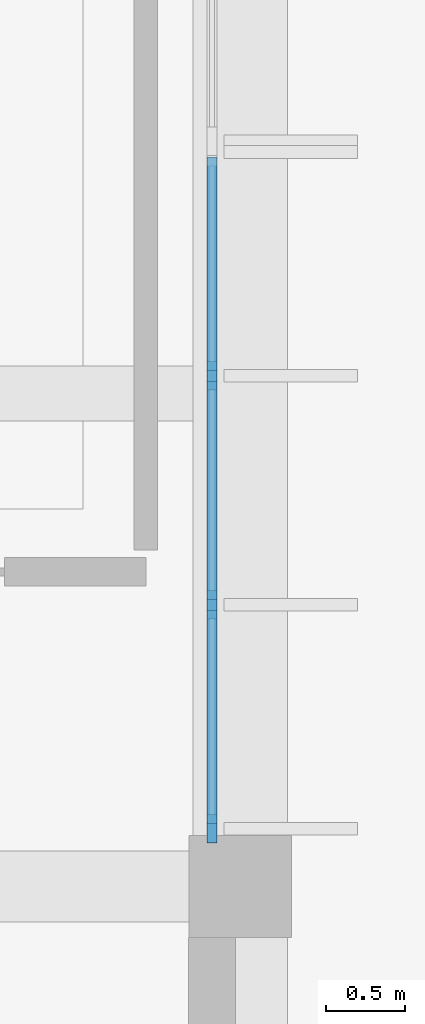
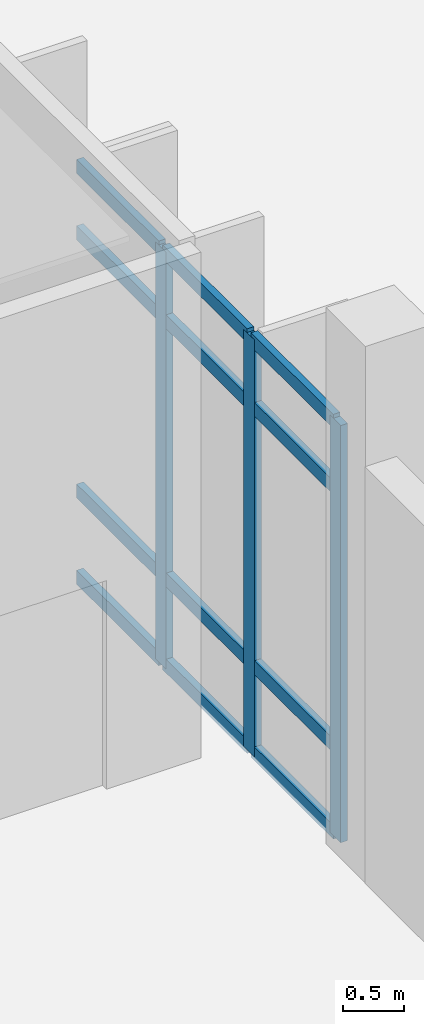
# One storey, part 29 of 79: 15 members, 1 element without a shape of its own.
"""IFC4 building model written with IfcOpenShell, lengths in metres."""

from ifc_helpers import new_model, si_unit, direction, frame, origin, origin_2d, place, context, subcontext, project, spatial, rectangle, extrude, material, layer, layer_set, material_profile, profile_set, type_object, element, aggregate, save


model = new_model("IFC4")

# Units and contexts
model_context = context("Model", 3, precision=1e-05, world=origin(), true_north=direction((0.0, 1.0)))
body_context = subcontext(model_context, "Body", "Model", "MODEL_VIEW")
ifc_project = project(units=[si_unit("LENGTHUNIT", "METRE"), si_unit("AREAUNIT", "SQUARE_METRE"), si_unit("VOLUMEUNIT", "CUBIC_METRE"), si_unit("PLANEANGLEUNIT", "RADIAN"), si_unit("MASSUNIT", "GRAM", prefix="KILO")], contexts=[model_context])

# Site, building, storey
site_placement = place(None, origin())
site = spatial("IfcSite", under=ifc_project, at=site_placement, CompositionType="ELEMENT")
building_placement = place(site_placement, origin())
building = spatial("IfcBuilding", under=site, at=building_placement, Name="Kelarvand Opera House", CompositionType="ELEMENT")
storey_placement = place(building_placement, origin())
storey = spatial("IfcBuildingStorey", under=building, at=storey_placement, Name="L00", CompositionType="ELEMENT", Elevation=0.0)

# Curtain wall, members
ifc_material_1 = material(Name="Thermally broken aluminium and low-E glazing", Category="aluminium")
ifc_layer = layer(ifc_material_1, 0.179931640625, Name="Thermally broken aluminium and low-E glazing", Category="aluminium")
ifc_layer_set = layer_set([ifc_layer], Name="Thermally broken aluminium and low-E glazing")
curtain_wall_type = type_object("IfcCurtainWallType", Name="Unitised Low-E Curtain Wall 4361x4200 Mod 1450 CWF-38", PredefinedType="USERDEFINED", material=ifc_layer_set)
curtain_wall_placement = place(storey_placement, origin())
curtain_wall = element("IfcCurtainWall", 1, at=curtain_wall_placement, inside=storey, type_object=curtain_wall_type, Name="V5 L00 Curtain Wall CWF-38 (166)", ObjectType="UNITISED CURTAIN WALL", PredefinedType="USERDEFINED")
ifc_material_2 = material(Name="Thermally broken anodised aluminium", Category="aluminium")
ifc_material_profile_1 = material_profile(ifc_material_2, rectangle(XDim=0.06494140625, YDim=0.179931640625, at=origin_2d()), Name="ALU MULLION 65x180", Category="aluminium")
ifc_profile_set_1 = profile_set([ifc_material_profile_1], Name="Thermally broken anodised aluminium")
member_type_1 = type_object("IfcMemberType", Name="Curtain Wall Mullion 65x180 Aluminium", PredefinedType="MULLION", material=ifc_profile_set_1)
member_1_placement = place(storey_placement, frame((135.02001953125, 99.844970703125, 0.0), z_axis=(0.0, 0.0, 1.0), x_axis=(1.0, 0.0, 0.0)))
member_1 = element("IfcMember", 2, at=member_1_placement, type_object=member_type_1, Name="CWF-38 mullion 2", PredefinedType="MULLION", context=body_context, shape_type="SweptSolid", body=[
    extrude(rectangle(XDim=0.06494140625, YDim=0.179931640625, at=origin_2d()), origin(), (0.0, 0.0, 1.0), 4.199951171875),
])
member_2_placement = place(storey_placement, frame((135.02001953125, 98.389892578125, 0.0), z_axis=(0.0, 0.0, 1.0), x_axis=(1.0, 0.0, 0.0)))
member_2 = element("IfcMember", 3, at=member_2_placement, type_object=member_type_1, Name="CWF-38 mullion 3", PredefinedType="MULLION", context=body_context, shape_type="SweptSolid", body=[
    extrude(rectangle(XDim=0.06494140625, YDim=0.179931640625, at=origin_2d()), origin(), (0.0, 0.0, 1.0), 4.199951171875),
])
member_3_placement = place(storey_placement, frame((135.02001953125, 96.967529296875, 0.0), z_axis=(0.0, 0.0, 1.0), x_axis=(1.0, 0.0, 0.0)))
member_3 = element("IfcMember", 4, at=member_3_placement, type_object=member_type_1, Name="CWF-38 mullion 4", PredefinedType="MULLION", context=body_context, shape_type="SweptSolid", body=[
    extrude(rectangle(XDim=0.06494140625, YDim=0.179931640625, at=origin_2d()), origin(), (0.0, 0.0, 1.0), 4.199951171875),
])
ifc_material_profile_2 = material_profile(ifc_material_2, rectangle(XDim=0.06494140625, YDim=0.139892578125, at=origin_2d()), Name="ALU TRANSOM 65x140", Category="aluminium")
ifc_profile_set_2 = profile_set([ifc_material_profile_2], Name="Thermally broken anodised aluminium")
member_type_2 = type_object("IfcMemberType", Name="Curtain Wall Transom 65x140 Aluminium", PredefinedType="USERDEFINED", material=ifc_profile_set_2)
member_4_placement = place(storey_placement, frame((135.02001953125, 101.235107421875, 0.032470703125), z_axis=(0.0, -1.0, 0.0), x_axis=(1.0, 0.0, 0.0)))
member_4 = element("IfcMember", 5, at=member_4_placement, type_object=member_type_2, Name="CWF-38 transom 1.1", ObjectType="TRANSOM", PredefinedType="USERDEFINED", context=body_context, shape_type="SweptSolid", body=[
    extrude(rectangle(XDim=0.06494140625, YDim=0.139892578125, at=origin_2d()), origin(), (0.0, 0.0, 1.0), 1.357666015625),
])
member_5_placement = place(storey_placement, frame((135.02001953125, 101.235107421875, 0.89990234375), z_axis=(0.0, -1.0, 0.0), x_axis=(1.0, 0.0, 0.0)))
member_5 = element("IfcMember", 6, at=member_5_placement, type_object=member_type_2, Name="CWF-38 transom 1.2", ObjectType="TRANSOM", PredefinedType="USERDEFINED", context=body_context, shape_type="SweptSolid", body=[
    extrude(rectangle(XDim=0.06494140625, YDim=0.139892578125, at=origin_2d()), origin(), (0.0, 0.0, 1.0), 1.357666015625),
])
member_6_placement = place(storey_placement, frame((135.02001953125, 101.235107421875, 3.5), z_axis=(0.0, -1.0, 0.0), x_axis=(1.0, 0.0, 0.0)))
member_6 = element("IfcMember", 7, at=member_6_placement, type_object=member_type_2, Name="CWF-38 transom 1.3", ObjectType="TRANSOM", PredefinedType="USERDEFINED", context=body_context, shape_type="SweptSolid", body=[
    extrude(rectangle(XDim=0.06494140625, YDim=0.139892578125, at=origin_2d()), origin(), (0.0, 0.0, 1.0), 1.357666015625),
])
member_7_placement = place(storey_placement, frame((135.02001953125, 101.235107421875, 4.16748046875), z_axis=(0.0, -1.0, 0.0), x_axis=(1.0, 0.0, 0.0)))
member_7 = element("IfcMember", 8, at=member_7_placement, type_object=member_type_2, Name="CWF-38 transom 1.4", ObjectType="TRANSOM", PredefinedType="USERDEFINED", context=body_context, shape_type="SweptSolid", body=[
    extrude(rectangle(XDim=0.06494140625, YDim=0.139892578125, at=origin_2d()), origin(), (0.0, 0.0, 1.0), 1.357666015625),
])
member_8_placement = place(storey_placement, frame((135.02001953125, 99.8125, 0.032470703125), z_axis=(0.0, -1.0, 0.0), x_axis=(1.0, 0.0, 0.0)))
member_8 = element("IfcMember", 9, at=member_8_placement, type_object=member_type_2, Name="CWF-38 transom 2.1", ObjectType="TRANSOM", PredefinedType="USERDEFINED", context=body_context, shape_type="SweptSolid", body=[
    extrude(rectangle(XDim=0.06494140625, YDim=0.139892578125, at=origin_2d()), origin(), (0.0, 0.0, 1.0), 1.389892578125),
])
member_9_placement = place(storey_placement, frame((135.02001953125, 99.8125, 0.89990234375), z_axis=(0.0, -1.0, 0.0), x_axis=(1.0, 0.0, 0.0)))
member_9 = element("IfcMember", 10, at=member_9_placement, type_object=member_type_2, Name="CWF-38 transom 2.2", ObjectType="TRANSOM", PredefinedType="USERDEFINED", context=body_context, shape_type="SweptSolid", body=[
    extrude(rectangle(XDim=0.06494140625, YDim=0.139892578125, at=origin_2d()), origin(), (0.0, 0.0, 1.0), 1.389892578125),
])
member_10_placement = place(storey_placement, frame((135.02001953125, 99.8125, 3.5), z_axis=(0.0, -1.0, 0.0), x_axis=(1.0, 0.0, 0.0)))
member_10 = element("IfcMember", 11, at=member_10_placement, type_object=member_type_2, Name="CWF-38 transom 2.3", ObjectType="TRANSOM", PredefinedType="USERDEFINED", context=body_context, shape_type="SweptSolid", body=[
    extrude(rectangle(XDim=0.06494140625, YDim=0.139892578125, at=origin_2d()), origin(), (0.0, 0.0, 1.0), 1.389892578125),
])
member_11_placement = place(storey_placement, frame((135.02001953125, 99.8125, 4.16748046875), z_axis=(0.0, -1.0, 0.0), x_axis=(1.0, 0.0, 0.0)))
member_11 = element("IfcMember", 12, at=member_11_placement, type_object=member_type_2, Name="CWF-38 transom 2.4", ObjectType="TRANSOM", PredefinedType="USERDEFINED", context=body_context, shape_type="SweptSolid", body=[
    extrude(rectangle(XDim=0.06494140625, YDim=0.139892578125, at=origin_2d()), origin(), (0.0, 0.0, 1.0), 1.389892578125),
])
member_12_placement = place(storey_placement, frame((135.02001953125, 98.357421875, 0.032470703125), z_axis=(0.0, -1.0, 0.0), x_axis=(1.0, 0.0, 0.0)))
member_12 = element("IfcMember", 13, at=member_12_placement, type_object=member_type_2, Name="CWF-38 transom 3.1", ObjectType="TRANSOM", PredefinedType="USERDEFINED", context=body_context, shape_type="SweptSolid", body=[
    extrude(rectangle(XDim=0.06494140625, YDim=0.139892578125, at=origin_2d()), origin(), (0.0, 0.0, 1.0), 1.357421875),
])
member_13_placement = place(storey_placement, frame((135.02001953125, 98.357421875, 0.89990234375), z_axis=(0.0, -1.0, 0.0), x_axis=(1.0, 0.0, 0.0)))
member_13 = element("IfcMember", 14, at=member_13_placement, type_object=member_type_2, Name="CWF-38 transom 3.2", ObjectType="TRANSOM", PredefinedType="USERDEFINED", context=body_context, shape_type="SweptSolid", body=[
    extrude(rectangle(XDim=0.06494140625, YDim=0.139892578125, at=origin_2d()), origin(), (0.0, 0.0, 1.0), 1.357421875),
])
member_14_placement = place(storey_placement, frame((135.02001953125, 98.357421875, 3.5), z_axis=(0.0, -1.0, 0.0), x_axis=(1.0, 0.0, 0.0)))
member_14 = element("IfcMember", 15, at=member_14_placement, type_object=member_type_2, Name="CWF-38 transom 3.3", ObjectType="TRANSOM", PredefinedType="USERDEFINED", context=body_context, shape_type="SweptSolid", body=[
    extrude(rectangle(XDim=0.06494140625, YDim=0.139892578125, at=origin_2d()), origin(), (0.0, 0.0, 1.0), 1.357421875),
])
member_15_placement = place(storey_placement, frame((135.02001953125, 98.357421875, 4.16748046875), z_axis=(0.0, -1.0, 0.0), x_axis=(1.0, 0.0, 0.0)))
member_15 = element("IfcMember", 16, at=member_15_placement, type_object=member_type_2, Name="CWF-38 transom 3.4", ObjectType="TRANSOM", PredefinedType="USERDEFINED", context=body_context, shape_type="SweptSolid", body=[
    extrude(rectangle(XDim=0.06494140625, YDim=0.139892578125, at=origin_2d()), origin(), (0.0, 0.0, 1.0), 1.357421875),
])
aggregate(curtain_wall, [member_1, member_2, member_3, member_4, member_5, member_6, member_7, member_8, member_9, member_10, member_11, member_12, member_13, member_14, member_15])

save(model, "model.ifc")
